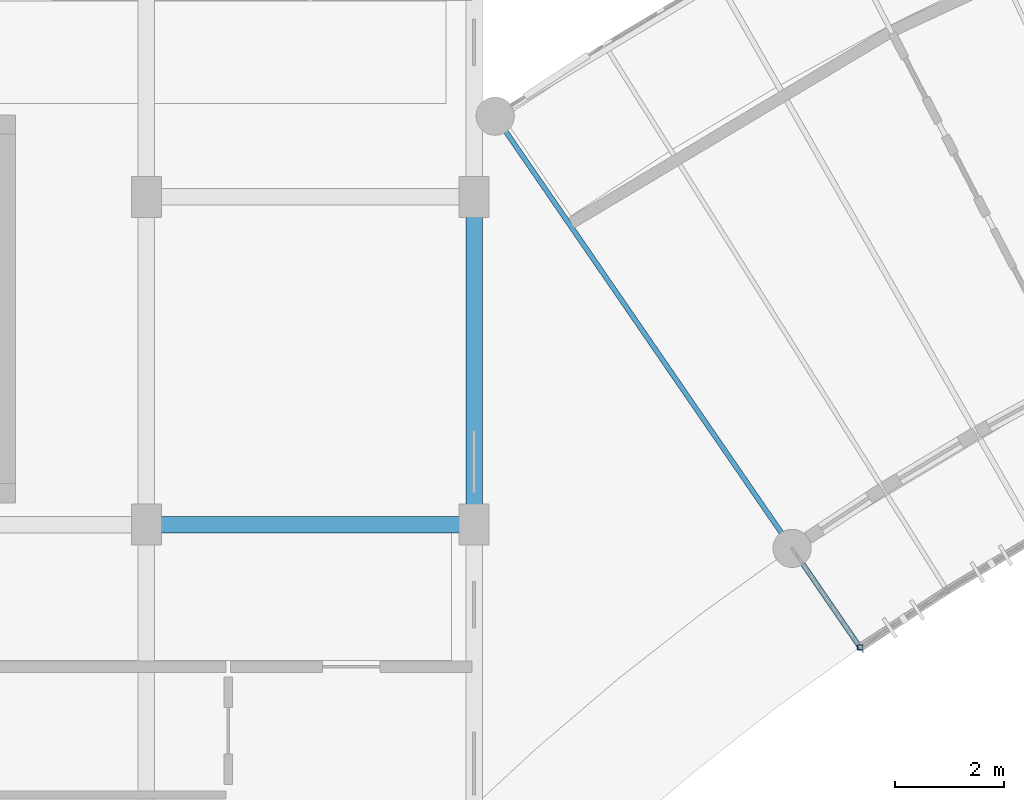
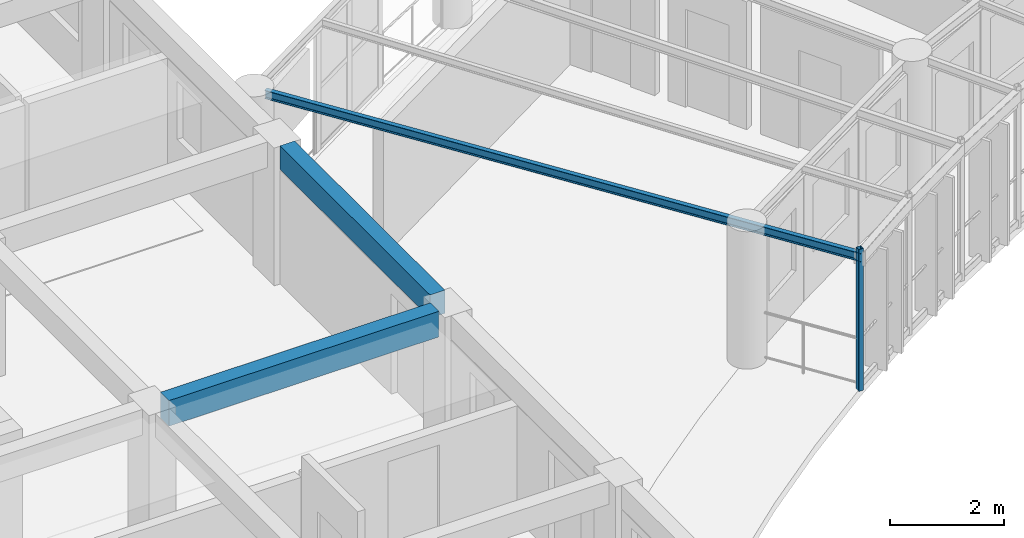
# One storey, part 41 of 123: 3 beams, 1 member.
"""IFC4 building model written with IfcOpenShell, lengths in metres."""

from ifc_helpers import new_model, si_unit, direction, frame, origin, origin_2d, place, context, subcontext, project, spatial, rectangle, hollow_rectangle, i_section, extrude, material, material_profile, profile_set, type_object, element, save


model = new_model("IFC4")

# Units and contexts
model_context = context("Model", 3, precision=1e-05, world=origin(), true_north=direction((0.0, 1.0)))
body_context = subcontext(model_context, "Body", "Model", "MODEL_VIEW")
ifc_project = project(units=[si_unit("LENGTHUNIT", "METRE"), si_unit("AREAUNIT", "SQUARE_METRE"), si_unit("VOLUMEUNIT", "CUBIC_METRE"), si_unit("PLANEANGLEUNIT", "RADIAN"), si_unit("MASSUNIT", "GRAM", prefix="KILO"), si_unit("POWERUNIT", "WATT"), si_unit("THERMODYNAMICTEMPERATUREUNIT", "KELVIN")], contexts=[model_context])

# Site, building, storey
site_placement = place(None, origin())
site = spatial("IfcSite", under=ifc_project, at=site_placement, CompositionType="ELEMENT")
building_placement = place(site_placement, origin())
building = spatial("IfcBuilding", under=site, at=building_placement, Name="Ruvembo Vaulted Housing Court", CompositionType="ELEMENT")
storey_placement = place(building_placement, frame((0.0, 0.0, 7.699951171875)))
storey = spatial("IfcBuildingStorey", under=building, at=storey_placement, Name="L02", CompositionType="ELEMENT", Elevation=7.699951171875)

# Beams
ifc_material_1 = material(Name="Concrete C35/45", Category="concrete")
ifc_material_profile_1 = material_profile(ifc_material_1, rectangle(XDim=0.300048828125, YDim=0.550048828125, at=origin_2d()), Name="RC 300x550")
ifc_profile_set_1 = profile_set([ifc_material_profile_1], Name="Concrete C35/45")
beam_type_1 = type_object("IfcBeamType", Name="BM-RC-300x550", PredefinedType="BEAM", material=ifc_profile_set_1)
beam_1_placement = place(storey_placement, frame((78.260009765625, 90.0, 2.679931640625), z_axis=(1.0, 0.0, 0.0), x_axis=(0.0, 1.0, 0.0)))
element("IfcBeam", 1, at=beam_1_placement, inside=storey, type_object=beam_type_1, Name="L02 Grid Beam X #1530", PredefinedType="BEAM", context=body_context, shape_type="SweptSolid", body=[
    extrude(rectangle(XDim=0.300048828125, YDim=0.550048828125, at=origin_2d()), origin(), (0.0, 0.0, 1.0), 5.47998046875),
])
ifc_material_2 = material(Name="Steel S355J2", Category="steel")
ifc_material_profile_2 = material_profile(ifc_material_2, i_section(OverallWidth=0.091064453125, OverallDepth=0.179931640625, WebThickness=0.00537109375, FlangeThickness=0.008056640625, FilletRadius=0.009033203125, at=origin_2d()), Name="IPE 180")
ifc_profile_set_2 = profile_set([ifc_material_profile_2], Name="Steel S355J2")
beam_type_2 = type_object("IfcBeamType", Name="BM-ST-IPE180", PredefinedType="JOIST", material=ifc_profile_set_2)
beam_2_placement = place(storey_placement, frame((84.516357421875, 97.287841796875, 2.85009765625), z_axis=(0.566205714572, -0.824263967905, 0.0), x_axis=(0.824263967905, 0.566205714572, 0.0)))
element("IfcBeam", 2, at=beam_2_placement, inside=storey, type_object=beam_type_2, Name="Scoop SC3 L02 Radial Steel Joist 0", PredefinedType="JOIST", context=body_context, shape_type="SweptSolid", body=[
    extrude(i_section(OverallWidth=0.091064453125, OverallDepth=0.179931640625, WebThickness=0.00537109375, FlangeThickness=0.008056640625, FilletRadius=0.009033203125, at=origin_2d()), origin(), (0.0, 0.0, 1.0), 11.610107421875),
])

# Member
ifc_material_profile_3 = material_profile(ifc_material_2, hollow_rectangle(XDim=0.10009765625, YDim=0.10009765625, WallThickness=0.00634765625, InnerFilletRadius=0.00634765625, OuterFilletRadius=0.0126953125, at=origin_2d()), Name="SHS 100x100x6.3")
ifc_profile_set_3 = profile_set([ifc_material_profile_3], Name="Steel S355J2")
member_type = type_object("IfcMemberType", Name="MEM-FRM-SHS100", PredefinedType="STRUT", material=ifc_profile_set_3)
member_placement = place(storey_placement, frame((91.0673828125, 87.751220703125, -0.014892578125), z_axis=(0.0, 0.0, 1.0), x_axis=(1.0, 0.0, 0.0)))
element("IfcMember", 3, at=member_placement, inside=storey, type_object=member_type, Name="Scoop SC3 L02 Louvre Frame Post 0", PredefinedType="STRUT", context=body_context, shape_type="SweptSolid", body=[
    extrude(hollow_rectangle(XDim=0.10009765625, YDim=0.10009765625, WallThickness=0.00634765625, InnerFilletRadius=0.00634765625, OuterFilletRadius=0.0126953125, at=origin_2d()), origin(), (0.0, 0.0, 1.0), 3.041015625),
])

# Beam
ifc_material_profile_4 = material_profile(ifc_material_1, rectangle(XDim=0.300048828125, YDim=0.5, at=origin_2d()), Name="RC 300x500")
ifc_profile_set_4 = profile_set([ifc_material_profile_4], Name="Concrete C35/45")
beam_type_3 = type_object("IfcBeamType", Name="SP-RC-300x500", PredefinedType="SPANDREL", material=ifc_profile_set_4)
beam_3_placement = place(storey_placement, frame((84.0, 90.360107421875, 2.705078125), z_axis=(0.0, 1.0, 0.0), x_axis=(-1.0, 0.0, 0.0)))
element("IfcBeam", 4, at=beam_3_placement, inside=storey, type_object=beam_type_3, Name="L02 Grid Beam Y #1635", PredefinedType="SPANDREL", context=body_context, shape_type="SweptSolid", body=[
    extrude(rectangle(XDim=0.300048828125, YDim=0.5, at=origin_2d()), origin(), (0.0, 0.0, 1.0), 5.27978515625),
])

save(model, "model.ifc")
